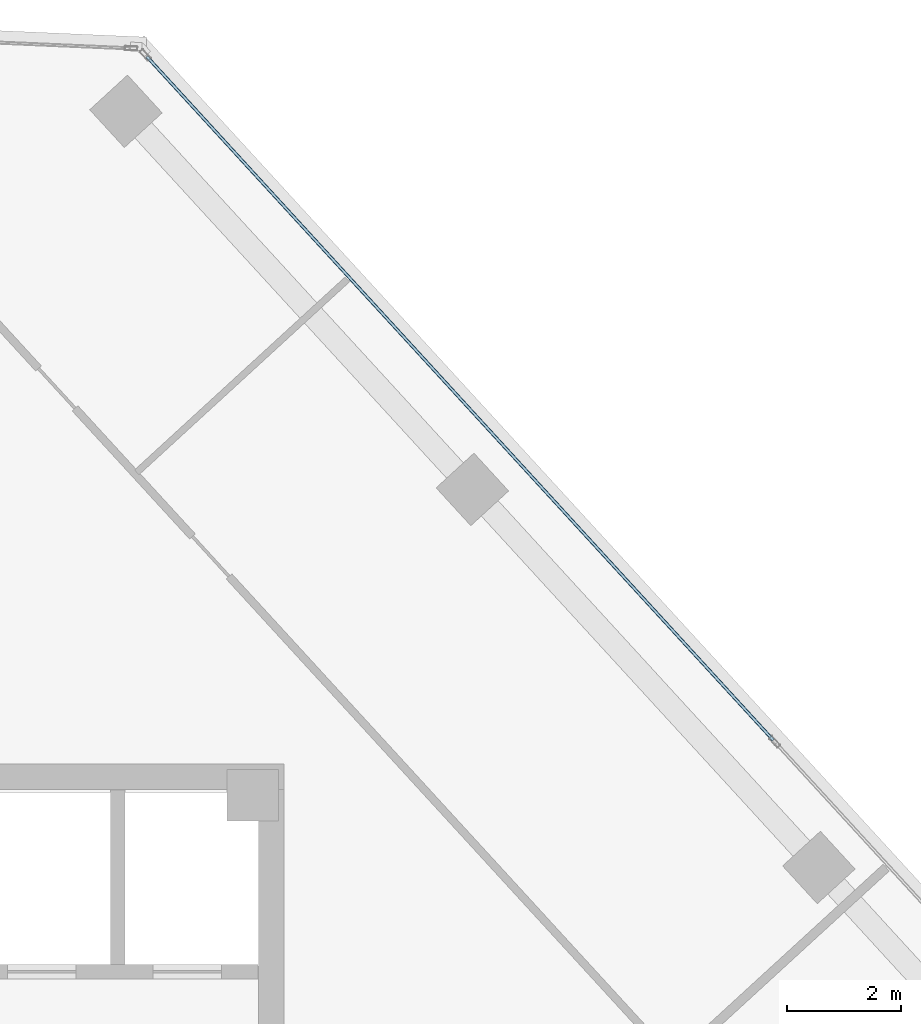
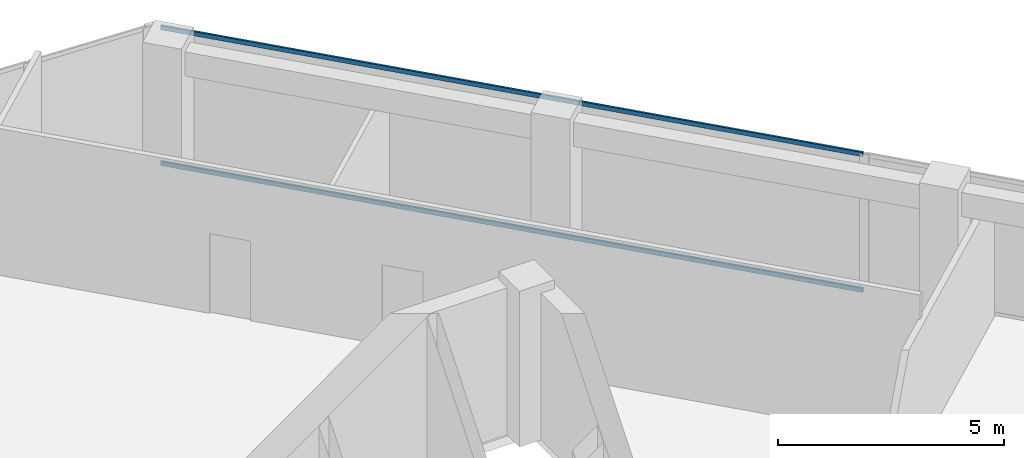
# One storey, part 9 of 18: 2 members, 1 element without a shape of its own.
"""IFC4 building model written with IfcOpenShell, lengths in metres."""

from ifc_helpers import new_model, si_unit, direction, frame, origin, origin_2d, place, context, subcontext, project, spatial, hollow_rectangle, extrude, source, transform, mapped, material, material_profile, profile_set, type_object, element, aggregate, save


model = new_model("IFC4")

# Units and contexts
model_context = context("Model", 3, precision=1e-05, world=origin(), true_north=direction((0.0, 1.0)))
body_context = subcontext(model_context, "Body", "Model", "MODEL_VIEW")
ifc_project = project(units=[si_unit("LENGTHUNIT", "METRE"), si_unit("AREAUNIT", "SQUARE_METRE"), si_unit("VOLUMEUNIT", "CUBIC_METRE"), si_unit("PLANEANGLEUNIT", "RADIAN"), si_unit("MASSUNIT", "GRAM", prefix="KILO")], contexts=[model_context])

# Site, building, storey
site_placement = place(None, origin())
site = spatial("IfcSite", under=ifc_project, at=site_placement, CompositionType="ELEMENT")
building_placement = place(site_placement, origin())
building = spatial("IfcBuilding", under=site, at=building_placement, Name="Torre Montelarca", CompositionType="ELEMENT")
storey_placement = place(building_placement, frame((0.0, 0.0, 258.39990234375)))
storey = spatial("IfcBuildingStorey", under=building, at=storey_placement, Name="L58", CompositionType="ELEMENT", Elevation=258.39990234375)

# Curtain wall, members
ifc_material_1 = material(Name="Insulated low-E laminated glass", Category="glass")
curtain_wall_type = type_object("IfcCurtainWallType", Name="CW-SYS-Z3", PredefinedType="USERDEFINED", material=ifc_material_1)
curtain_wall_placement = place(storey_placement, origin())
curtain_wall = element("IfcCurtainWall", 1, at=curtain_wall_placement, inside=storey, type_object=curtain_wall_type, Name="L58 Curtain Wall Run CW-T3-L58-E08-B1", ObjectType="UNITISED GLAZING", PredefinedType="USERDEFINED")
ifc_material_2 = material(Name="Anodised aluminium AA 6063-T6", Category="aluminium")
ifc_material_profile = material_profile(ifc_material_2, hollow_rectangle(XDim=0.054931640625, YDim=0.1201171875, WallThickness=0.00341796875, InnerFilletRadius=0.00341796875, OuterFilletRadius=0.007080078125, at=origin_2d()), Name="ALU55X120X3.5", Category="aluminium")
ifc_profile_set = profile_set([ifc_material_profile], Name="Anodised aluminium AA 6063-T6")
member_type = type_object("IfcMemberType", Name="CWT-ALU120", PredefinedType="USERDEFINED", material=ifc_profile_set)
shared_shape = source(origin(), body_context, "Body", "SweptSolid", [
    extrude(hollow_rectangle(XDim=0.054931640625, YDim=0.1201171875, WallThickness=0.00341796875, InnerFilletRadius=0.00341796875, OuterFilletRadius=0.007080078125, at=origin_2d()), origin(), (0.0, 0.0, 1.0), 16.271728515625),
])
member_1_placement = place(storey_placement, frame((35.5859375, 40.41455078125, 0.027587890625), z_axis=(-0.675585333994, 0.737281802632, 0.0), x_axis=(-0.737281802632, -0.675585333994, 0.0)))
member_1 = element("IfcMember", 2, at=member_1_placement, type_object=member_type, Name="CW transom 2.1", ObjectType="TRANSOM", PredefinedType="USERDEFINED", context=body_context, shape_type="MappedRepresentation", body=[
    mapped(shared_shape, transform((0.0, 0.0, 0.0), scale=1.0)),
])
member_2_placement = place(storey_placement, frame((35.5859375, 40.41455078125, 3.692626953125), z_axis=(-0.675585333994, 0.737281802632, 0.0), x_axis=(-0.737281802632, -0.675585333994, 0.0)))
member_2 = element("IfcMember", 3, at=member_2_placement, type_object=member_type, Name="CW transom 2.2", ObjectType="TRANSOM", PredefinedType="USERDEFINED", context=body_context, shape_type="MappedRepresentation", body=[
    mapped(shared_shape, transform((0.0, 0.0, 0.0), scale=1.0)),
])
aggregate(curtain_wall, [member_1, member_2])

save(model, "model.ifc")
